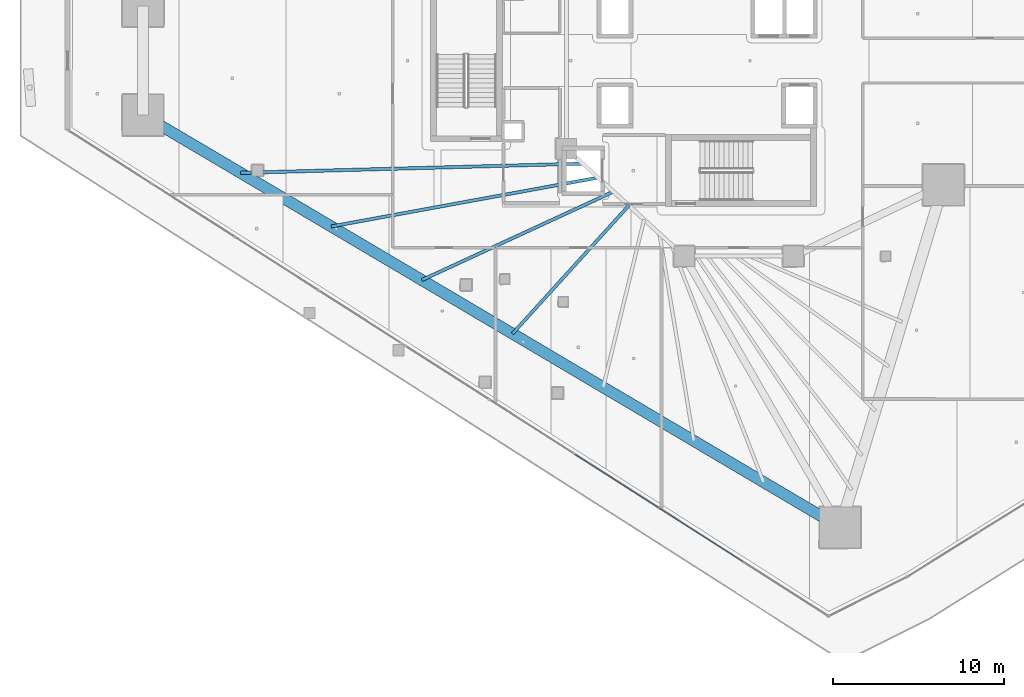
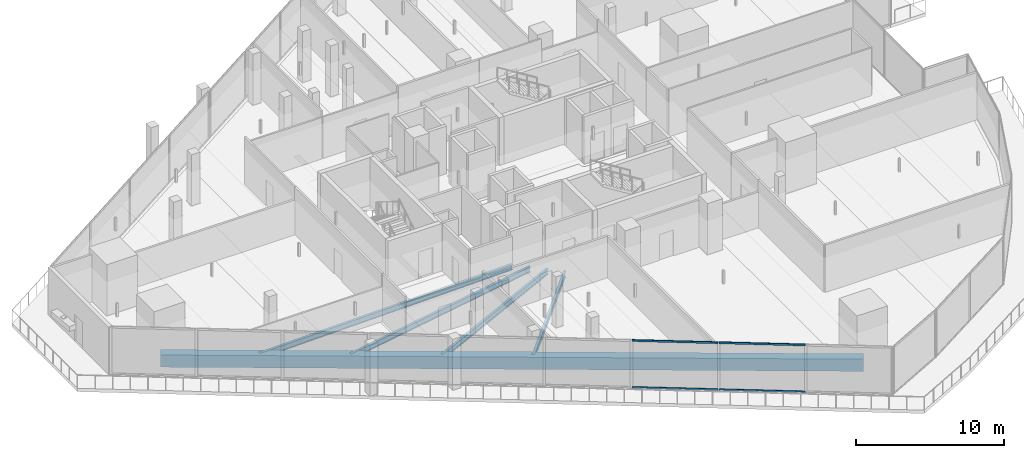
# One storey, part 6 of 44: 5 beams, 4 members, 1 element without a shape of its own.
"""IFC4 building model written with IfcOpenShell, lengths in metres."""

from ifc_helpers import new_model, si_unit, direction, frame, origin, origin_2d, place, context, subcontext, project, spatial, rectangle, hollow_rectangle, i_section, extrude, material, layer, layer_set, material_profile, profile_set, type_object, element, aggregate, save


model = new_model("IFC4")

# Units and contexts
model_context = context("Model", 3, precision=1e-05, world=origin(), true_north=direction((0.0, 1.0)))
body_context = subcontext(model_context, "Body", "Model", "MODEL_VIEW")
ifc_project = project(units=[si_unit("LENGTHUNIT", "METRE"), si_unit("AREAUNIT", "SQUARE_METRE"), si_unit("VOLUMEUNIT", "CUBIC_METRE"), si_unit("PLANEANGLEUNIT", "RADIAN"), si_unit("MASSUNIT", "GRAM", prefix="KILO")], contexts=[model_context])

# Site, building, storey
site_placement = place(None, origin())
site = spatial("IfcSite", under=ifc_project, at=site_placement, CompositionType="ELEMENT")
building_placement = place(site_placement, origin())
building = spatial("IfcBuilding", under=site, at=building_placement, Name="Qorvath Tower", CompositionType="ELEMENT")
storey_placement = place(building_placement, frame((0.0, 0.0, 70.199951171875)))
storey = spatial("IfcBuildingStorey", under=building, at=storey_placement, Name="L15", CompositionType="ELEMENT", Elevation=70.199951171875)

# Beams
ifc_material_1 = material(Name="Steel ASTM A992 Grade 50", Category="steel")
ifc_material_profile_1 = material_profile(ifc_material_1, i_section(OverallWidth=0.18994140625, OverallDepth=0.45703125, WebThickness=0.009033203125, FlangeThickness=0.014404296875, FilletRadius=0.011962890625, at=origin_2d()), Name="W18x50")
ifc_profile_set_1 = profile_set([ifc_material_profile_1], Name="Steel ASTM A992 Grade 50")
beam_type_1 = type_object("IfcBeamType", Name="BM-FJ2", PredefinedType="JOIST", material=ifc_profile_set_1)
beam_1_placement = place(storey_placement, frame((-29.533935546875, -6.031982421875, -0.508544921875), z_axis=(-0.999634925413, -0.02701880631, 0.0), x_axis=(0.02701880631, -0.999634925413, 0.0)))
element("IfcBeam", 1, at=beam_1_placement, inside=storey, type_object=beam_type_1, Name="Composite Floor Joist SW1 L15", PredefinedType="JOIST", context=body_context, shape_type="SweptSolid", body=[
    extrude(i_section(OverallWidth=0.18994140625, OverallDepth=0.45703125, WebThickness=0.009033203125, FlangeThickness=0.014404296875, FilletRadius=0.011962890625, at=origin_2d()), origin(), (0.0, 0.0, 1.0), 20.041748046875),
])
beam_2_placement = place(storey_placement, frame((-28.636962890625, -6.85107421875, -0.508544921875), z_axis=(-0.983656498786, -0.180055248176, 0.0), x_axis=(0.180055248176, -0.983656498786, 0.0)))
element("IfcBeam", 2, at=beam_2_placement, inside=storey, type_object=beam_type_1, Name="Composite Floor Joist SW2 L15", PredefinedType="JOIST", context=body_context, shape_type="SweptSolid", body=[
    extrude(i_section(OverallWidth=0.18994140625, OverallDepth=0.45703125, WebThickness=0.009033203125, FlangeThickness=0.014404296875, FilletRadius=0.011962890625, at=origin_2d()), origin(), (0.0, 0.0, 1.0), 15.884521484375),
])
beam_3_placement = place(storey_placement, frame((-27.739990234375, -7.669921875, -0.508544921875), z_axis=(-0.907881281747, -0.419227358665, 0.0), x_axis=(0.419227358665, -0.907881281747, 0.0)))
element("IfcBeam", 3, at=beam_3_placement, inside=storey, type_object=beam_type_1, Name="Composite Floor Joist SW3 L15", PredefinedType="JOIST", context=body_context, shape_type="SweptSolid", body=[
    extrude(i_section(OverallWidth=0.18994140625, OverallDepth=0.45703125, WebThickness=0.009033203125, FlangeThickness=0.014404296875, FilletRadius=0.011962890625, at=origin_2d()), origin(), (0.0, 0.0, 1.0), 12.353515625),
])
beam_4_placement = place(storey_placement, frame((-26.843017578125, -8.489013671875, -0.508544921875), z_axis=(-0.672128980215, -0.740434084815, 0.0), x_axis=(0.740434084815, -0.672128980215, 0.0)))
element("IfcBeam", 4, at=beam_4_placement, inside=storey, type_object=beam_type_1, Name="Composite Floor Joist SW4 L15", PredefinedType="JOIST", context=body_context, shape_type="SweptSolid", body=[
    extrude(i_section(OverallWidth=0.18994140625, OverallDepth=0.45703125, WebThickness=0.009033203125, FlangeThickness=0.014404296875, FilletRadius=0.011962890625, at=origin_2d()), origin(), (0.0, 0.0, 1.0), 10.1259765625),
])
ifc_material_2 = material(Name="Concrete C50/60", Category="concrete")
ifc_material_profile_2 = material_profile(ifc_material_2, rectangle(XDim=0.64990234375, YDim=1.0, at=origin_2d()), Name="RCB 1000x650")
ifc_profile_set_2 = profile_set([ifc_material_profile_2], Name="Concrete C50/60")
beam_type_2 = type_object("IfcBeamType", Name="BM-RCB1", PredefinedType="SPANDREL", material=ifc_profile_set_2)
beam_5_placement = place(storey_placement, frame((-55.282958984375, -3.194580078125, -0.780029296875), z_axis=(0.860777360917, -0.508981664633, 0.0), x_axis=(0.508981664633, 0.860777360917, 0.0)))
element("IfcBeam", 5, at=beam_5_placement, inside=storey, type_object=beam_type_2, Name="Perimeter Loggia Frame Beam MC2-MC3 L15", PredefinedType="SPANDREL", context=body_context, shape_type="SweptSolid", body=[
    extrude(rectangle(XDim=0.64990234375, YDim=1.0, at=origin_2d()), origin(), (0.0, 0.0, 1.0), 47.420654296875),
])

# Curtain wall, members
ifc_material_3 = material(Name="Anodised aluminium and triple low-E glass", Category="aluminium")
ifc_layer = layer(ifc_material_3, 0.179931640625)
ifc_layer_set = layer_set([ifc_layer], Name="CW-SYS-2")
curtain_wall_type = type_object("IfcCurtainWallType", Name="CW-SYS-2", PredefinedType="NOTDEFINED", material=ifc_layer_set)
curtain_wall_placement = place(storey_placement, origin())
curtain_wall = element("IfcCurtainWall", 6, at=curtain_wall_placement, inside=storey, type_object=curtain_wall_type, Name="Curtain Wall CW-2 CW-T-L15-2.2", PredefinedType="NOTDEFINED")
ifc_material_4 = material(Name="Anodised aluminium 6063-T6", Category="aluminium")
ifc_material_profile_3 = material_profile(ifc_material_4, hollow_rectangle(XDim=0.06494140625, YDim=0.159912109375, WallThickness=0.00341796875, InnerFilletRadius=0.00341796875, OuterFilletRadius=0.007080078125, at=origin_2d()), Name="CWT 160x65")
ifc_profile_set_3 = profile_set([ifc_material_profile_3], Name="Anodised aluminium 6063-T6")
member_type = type_object("IfcMemberType", Name="CWT-160", PredefinedType="USERDEFINED", material=ifc_profile_set_3)
member_1_placement = place(storey_placement, frame((-30.011962890625, -23.03955078125, 0.032470703125), z_axis=(0.842608539244, -0.538526554214, 0.0), x_axis=(0.538526554214, 0.842608539244, 0.0)))
member_1 = element("IfcMember", 7, at=member_1_placement, type_object=member_type, Name="CW-2 transom 3.1", ObjectType="TRANSOM", PredefinedType="USERDEFINED", context=body_context, shape_type="SweptSolid", body=[
    extrude(hollow_rectangle(XDim=0.06494140625, YDim=0.159912109375, WallThickness=0.00341796875, InnerFilletRadius=0.00341796875, OuterFilletRadius=0.007080078125, at=origin_2d()), origin(), (0.0, 0.0, 1.0), 5.8232421875),
])
member_2_placement = place(storey_placement, frame((-30.011962890625, -23.03955078125, 3.8876953125), z_axis=(0.842608539244, -0.538526554214, 0.0), x_axis=(0.538526554214, 0.842608539244, 0.0)))
member_2 = element("IfcMember", 8, at=member_2_placement, type_object=member_type, Name="CW-2 transom 3.2", ObjectType="TRANSOM", PredefinedType="USERDEFINED", context=body_context, shape_type="SweptSolid", body=[
    extrude(hollow_rectangle(XDim=0.06494140625, YDim=0.159912109375, WallThickness=0.00341796875, InnerFilletRadius=0.00341796875, OuterFilletRadius=0.007080078125, at=origin_2d()), origin(), (0.0, 0.0, 1.0), 5.8232421875),
])
member_3_placement = place(storey_placement, frame((-25.050537109375, -26.210693359375, 0.032470703125), z_axis=(0.842608539244, -0.538526554214, 0.0), x_axis=(0.538526554214, 0.842608539244, 0.0)))
member_3 = element("IfcMember", 9, at=member_3_placement, type_object=member_type, Name="CW-2 transom 4.1", ObjectType="TRANSOM", PredefinedType="USERDEFINED", context=body_context, shape_type="SweptSolid", body=[
    extrude(hollow_rectangle(XDim=0.06494140625, YDim=0.159912109375, WallThickness=0.00341796875, InnerFilletRadius=0.00341796875, OuterFilletRadius=0.007080078125, at=origin_2d()), origin(), (0.0, 0.0, 1.0), 5.8232421875),
])
member_4_placement = place(storey_placement, frame((-25.050537109375, -26.210693359375, 3.8876953125), z_axis=(0.842608539244, -0.538526554214, 0.0), x_axis=(0.538526554214, 0.842608539244, 0.0)))
member_4 = element("IfcMember", 10, at=member_4_placement, type_object=member_type, Name="CW-2 transom 4.2", ObjectType="TRANSOM", PredefinedType="USERDEFINED", context=body_context, shape_type="SweptSolid", body=[
    extrude(hollow_rectangle(XDim=0.06494140625, YDim=0.159912109375, WallThickness=0.00341796875, InnerFilletRadius=0.00341796875, OuterFilletRadius=0.007080078125, at=origin_2d()), origin(), (0.0, 0.0, 1.0), 5.8232421875),
])
aggregate(curtain_wall, [member_1, member_2, member_3, member_4])

save(model, "model.ifc")
